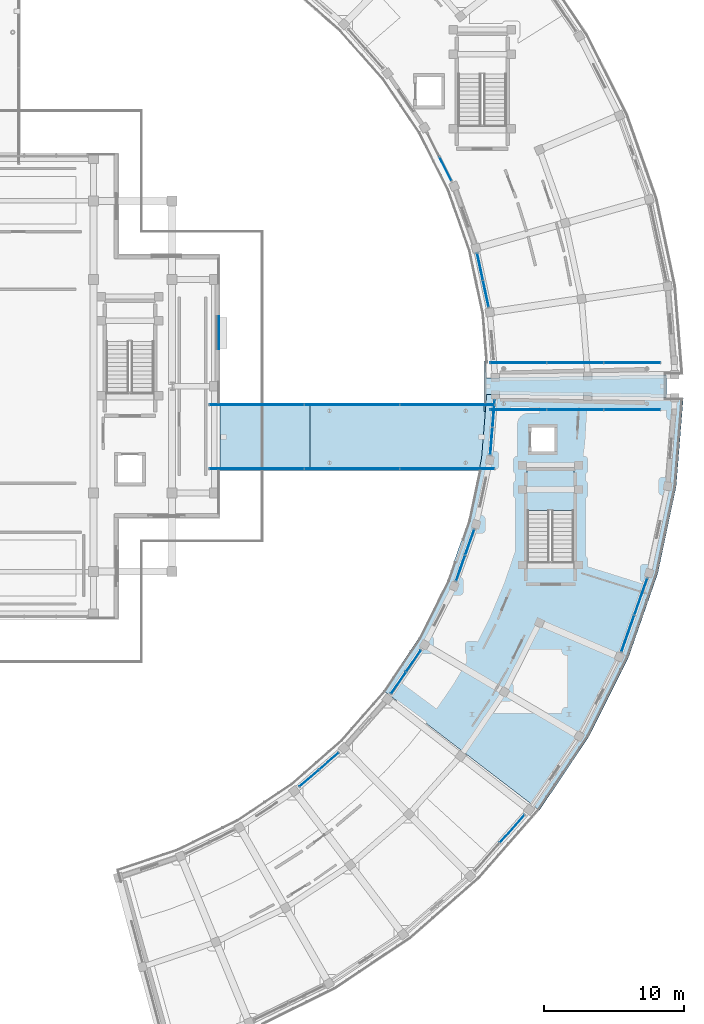
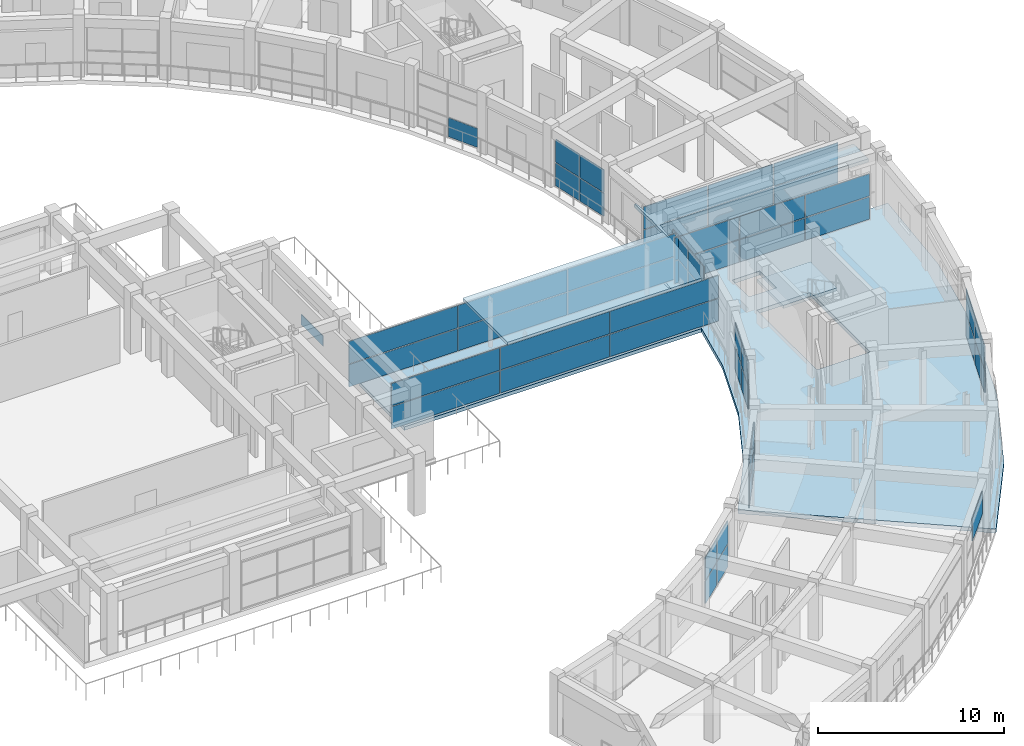
# One storey, part 29 of 53: 51 plates, 6 slabs, 13 elements without a shape of their own.
"""IFC4 building model written with IfcOpenShell, lengths in metres."""

from ifc_helpers import new_model, si_unit, direction, frame, origin, origin_2d, place, context, subcontext, project, spatial, polyline, rectangle, outline, extrude, material, layer, layer_set, type_object, element, aggregate, save


model = new_model("IFC4")

# Units and contexts
model_context = context("Model", 3, precision=1e-05, world=origin(), true_north=direction((0.0, 1.0)))
body_context = subcontext(model_context, "Body", "Model", "MODEL_VIEW")
ifc_project = project(units=[si_unit("LENGTHUNIT", "METRE"), si_unit("AREAUNIT", "SQUARE_METRE"), si_unit("VOLUMEUNIT", "CUBIC_METRE"), si_unit("PLANEANGLEUNIT", "RADIAN"), si_unit("MASSUNIT", "GRAM", prefix="KILO")], contexts=[model_context])

# Site, building, storey
site_placement = place(None, origin())
site = spatial("IfcSite", under=ifc_project, at=site_placement, CompositionType="ELEMENT")
building_placement = place(site_placement, origin())
building = spatial("IfcBuilding", under=site, at=building_placement, Name="Saryqyr Civic Hall", CompositionType="ELEMENT")
storey_placement = place(building_placement, frame((0.0, 0.0, 21.300048828125)))
storey = spatial("IfcBuildingStorey", under=building, at=storey_placement, Name="L05", CompositionType="ELEMENT", Elevation=21.300048828125)

# Curtain wall, plates
ifc_material_1 = material(Name="Anodised aluminium and triple low-E glass", Category="aluminium")
curtain_wall_type_1 = type_object("IfcCurtainWallType", Name="ENV-CW-STD-27", PredefinedType="NOTDEFINED", material=ifc_material_1)
curtain_wall_1_placement = place(storey_placement, origin())
curtain_wall_1 = element("IfcCurtainWall", 1, at=curtain_wall_1_placement, inside=storey, type_object=curtain_wall_type_1, Name="Curtain wall V5-CWI-L05-03", PredefinedType="NOTDEFINED")
ifc_material_2 = material(Name="Triple low-E insulated glazing", Category="glass")
ifc_layer_1 = layer(ifc_material_2, 0.053955078125, Name="Triple low-E insulated glazing")
ifc_layer_set_1 = layer_set([ifc_layer_1], Name="Triple low-E insulated glazing")
plate_type_1 = type_object("IfcPlateType", Name="ENV-CW-PNL-38", PredefinedType="CURTAIN_PANEL", material=ifc_layer_set_1)
plate_1_placement = place(storey_placement, frame((79.95849609375, 56.093994140625, 0.06005859375), z_axis=(0.0, 0.0, 1.0), x_axis=(0.755651502076, 0.654973898267, 0.0)))
plate_1 = element("IfcPlate", 2, at=plate_1_placement, type_object=plate_type_1, Name="CW-27 panel 1.1", PredefinedType="CURTAIN_PANEL", context=body_context, shape_type="SweptSolid", body=[
    extrude(rectangle(XDim=1.797607421875, YDim=0.053955078125, at=origin_2d()), origin(), (0.0, 0.0, 1.0), 1.488037109375),
])
plate_2_placement = place(storey_placement, frame((79.95849609375, 56.093994140625, 1.60791015625), z_axis=(0.0, 0.0, 1.0), x_axis=(0.755651502076, 0.654973898267, 0.0)))
plate_2 = element("IfcPlate", 3, at=plate_2_placement, type_object=plate_type_1, Name="CW-27 panel 1.2", PredefinedType="CURTAIN_PANEL", context=body_context, shape_type="SweptSolid", body=[
    extrude(rectangle(XDim=1.797607421875, YDim=0.053955078125, at=origin_2d()), origin(), (0.0, 0.0, 1.0), 1.487060546875),
])
plate_3_placement = place(storey_placement, frame((81.3623046875, 57.310791015625, 0.06005859375), z_axis=(0.0, 0.0, 1.0), x_axis=(0.755651502076, 0.654973898267, 0.0)))
plate_3 = element("IfcPlate", 4, at=plate_3_placement, type_object=plate_type_1, Name="CW-27 panel 2.1", PredefinedType="CURTAIN_PANEL", context=body_context, shape_type="SweptSolid", body=[
    extrude(rectangle(XDim=1.797607421875, YDim=0.053955078125, at=origin_2d()), origin(), (0.0, 0.0, 1.0), 1.488037109375),
])
plate_4_placement = place(storey_placement, frame((81.3623046875, 57.310791015625, 1.60791015625), z_axis=(0.0, 0.0, 1.0), x_axis=(0.755651502076, 0.654973898267, 0.0)))
plate_4 = element("IfcPlate", 5, at=plate_4_placement, type_object=plate_type_1, Name="CW-27 panel 2.2", PredefinedType="CURTAIN_PANEL", context=body_context, shape_type="SweptSolid", body=[
    extrude(rectangle(XDim=1.797607421875, YDim=0.053955078125, at=origin_2d()), origin(), (0.0, 0.0, 1.0), 1.487060546875),
])
aggregate(curtain_wall_1, [plate_1, plate_2, plate_3, plate_4])

# Curtain wall, plate
curtain_wall_type_2 = type_object("IfcCurtainWallType", Name="ENV-CW-STD-39", PredefinedType="NOTDEFINED", material=ifc_material_1)
curtain_wall_2_placement = place(storey_placement, origin())
curtain_wall_2 = element("IfcCurtainWall", 6, at=curtain_wall_2_placement, inside=storey, type_object=curtain_wall_type_2, Name="Curtain wall V5-CWO-L05-04", PredefinedType="NOTDEFINED")
plate_5_placement = place(storey_placement, frame((94.412353515625, 52.486572265625, 1.60791015625), z_axis=(0.0, 0.0, 1.0), x_axis=(-0.664934159467, -0.746901977219, 0.0)))
plate_5 = element("IfcPlate", 7, at=plate_5_placement, type_object=plate_type_1, Name="CW-39 panel 1.2", PredefinedType="CURTAIN_PANEL", context=body_context, shape_type="SweptSolid", body=[
    extrude(rectangle(XDim=2.618896484375, YDim=0.053955078125, at=origin_2d()), origin(), (0.0, 0.0, 1.0), 1.487060546875),
])
aggregate(curtain_wall_2, [plate_5])

# Curtain wall, plates
curtain_wall_3_placement = place(storey_placement, origin())
curtain_wall_3 = element("IfcCurtainWall", 8, at=curtain_wall_3_placement, inside=storey, type_object=curtain_wall_type_1, Name="Curtain wall V5-CWI-L05-05", PredefinedType="NOTDEFINED")
plate_6_placement = place(storey_placement, frame((86.318115234375, 62.873779296875, 0.06005859375), z_axis=(0.0, 0.0, 1.0), x_axis=(0.563129803105, 0.826368455869, 0.0)))
plate_6 = element("IfcPlate", 9, at=plate_6_placement, type_object=plate_type_1, Name="CW-27 panel 1.1", PredefinedType="CURTAIN_PANEL", context=body_context, shape_type="SweptSolid", body=[
    extrude(rectangle(XDim=1.836181640625, YDim=0.053955078125, at=origin_2d()), origin(), (0.0, 0.0, 1.0), 1.488037109375),
])
plate_7_placement = place(storey_placement, frame((86.318115234375, 62.873779296875, 1.60791015625), z_axis=(0.0, 0.0, 1.0), x_axis=(0.563129803105, 0.826368455869, 0.0)))
plate_7 = element("IfcPlate", 10, at=plate_7_placement, type_object=plate_type_1, Name="CW-27 panel 1.2", PredefinedType="CURTAIN_PANEL", context=body_context, shape_type="SweptSolid", body=[
    extrude(rectangle(XDim=1.836181640625, YDim=0.053955078125, at=origin_2d()), origin(), (0.0, 0.0, 1.0), 1.487060546875),
])
plate_8_placement = place(storey_placement, frame((87.385986328125, 64.440673828125, 0.06005859375), z_axis=(0.0, 0.0, 1.0), x_axis=(0.563129803105, 0.826368455869, 0.0)))
plate_8 = element("IfcPlate", 11, at=plate_8_placement, type_object=plate_type_1, Name="CW-27 panel 2.1", PredefinedType="CURTAIN_PANEL", context=body_context, shape_type="SweptSolid", body=[
    extrude(rectangle(XDim=1.836181640625, YDim=0.053955078125, at=origin_2d()), origin(), (0.0, 0.0, 1.0), 1.488037109375),
])
plate_9_placement = place(storey_placement, frame((87.385986328125, 64.440673828125, 1.60791015625), z_axis=(0.0, 0.0, 1.0), x_axis=(0.563129803105, 0.826368455869, 0.0)))
plate_9 = element("IfcPlate", 12, at=plate_9_placement, type_object=plate_type_1, Name="CW-27 panel 2.2", PredefinedType="CURTAIN_PANEL", context=body_context, shape_type="SweptSolid", body=[
    extrude(rectangle(XDim=1.836181640625, YDim=0.053955078125, at=origin_2d()), origin(), (0.0, 0.0, 1.0), 1.487060546875),
])
aggregate(curtain_wall_3, [plate_6, plate_7, plate_8, plate_9])

curtain_wall_type_3 = type_object("IfcCurtainWallType", Name="ENV-CW-STD-40", PredefinedType="NOTDEFINED", material=ifc_material_1)
curtain_wall_4_placement = place(storey_placement, origin())
curtain_wall_4 = element("IfcCurtainWall", 13, at=curtain_wall_4_placement, inside=storey, type_object=curtain_wall_type_3, Name="Curtain wall V5-CWO-L05-07", PredefinedType="NOTDEFINED")
plate_10_placement = place(storey_placement, frame((103.565673828125, 69.015380859375, 0.06005859375), z_axis=(0.0, 0.0, 1.0), x_axis=(-0.33318018147, -0.942863174949, 0.0)))
plate_10 = element("IfcPlate", 14, at=plate_10_placement, type_object=plate_type_1, Name="CW-40 panel 1.1", PredefinedType="CURTAIN_PANEL", context=body_context, shape_type="SweptSolid", body=[
    extrude(rectangle(XDim=2.713623046875, YDim=0.053955078125, at=origin_2d()), origin(), (0.0, 0.0, 1.0), 1.488037109375),
])
plate_11_placement = place(storey_placement, frame((103.565673828125, 69.015380859375, 1.60791015625), z_axis=(0.0, 0.0, 1.0), x_axis=(-0.33318018147, -0.942863174949, 0.0)))
plate_11 = element("IfcPlate", 15, at=plate_11_placement, type_object=plate_type_1, Name="CW-40 panel 1.2", PredefinedType="CURTAIN_PANEL", context=body_context, shape_type="SweptSolid", body=[
    extrude(rectangle(XDim=2.713623046875, YDim=0.053955078125, at=origin_2d()), origin(), (0.0, 0.0, 1.0), 1.487060546875),
])
plate_12_placement = place(storey_placement, frame((102.6416015625, 66.400146484375, 0.06005859375), z_axis=(0.0, 0.0, 1.0), x_axis=(-0.33318018147, -0.942863174949, 0.0)))
plate_12 = element("IfcPlate", 16, at=plate_12_placement, type_object=plate_type_1, Name="CW-40 panel 2.1", PredefinedType="CURTAIN_PANEL", context=body_context, shape_type="SweptSolid", body=[
    extrude(rectangle(XDim=2.713623046875, YDim=0.053955078125, at=origin_2d()), origin(), (0.0, 0.0, 1.0), 1.488037109375),
])
plate_13_placement = place(storey_placement, frame((102.6416015625, 66.400146484375, 1.60791015625), z_axis=(0.0, 0.0, 1.0), x_axis=(-0.33318018147, -0.942863174949, 0.0)))
plate_13 = element("IfcPlate", 17, at=plate_13_placement, type_object=plate_type_1, Name="CW-40 panel 2.2", PredefinedType="CURTAIN_PANEL", context=body_context, shape_type="SweptSolid", body=[
    extrude(rectangle(XDim=2.713623046875, YDim=0.053955078125, at=origin_2d()), origin(), (0.0, 0.0, 1.0), 1.487060546875),
])
aggregate(curtain_wall_4, [plate_10, plate_11, plate_12, plate_13])

curtain_wall_type_4 = type_object("IfcCurtainWallType", Name="ENV-CW-STD-21", PredefinedType="NOTDEFINED", material=ifc_material_1)
curtain_wall_5_placement = place(storey_placement, origin())
curtain_wall_5 = element("IfcCurtainWall", 18, at=curtain_wall_5_placement, inside=storey, type_object=curtain_wall_type_4, Name="Curtain wall V5-CWI-L05-07", PredefinedType="NOTDEFINED")
plate_14_placement = place(storey_placement, frame((90.73583984375, 71.0458984375, 0.06005859375), z_axis=(0.0, 0.0, 1.0), x_axis=(0.333171977335, 0.94286607401, 0.0)))
plate_14 = element("IfcPlate", 19, at=plate_14_placement, type_object=plate_type_1, Name="CW-21 panel 1.1", PredefinedType="CURTAIN_PANEL", context=body_context, shape_type="SweptSolid", body=[
    extrude(rectangle(XDim=1.886962890625, YDim=0.053955078125, at=origin_2d()), origin(), (0.0, 0.0, 1.0), 1.488037109375),
])
plate_15_placement = place(storey_placement, frame((90.73583984375, 71.0458984375, 1.60791015625), z_axis=(0.0, 0.0, 1.0), x_axis=(0.333171977335, 0.94286607401, 0.0)))
plate_15 = element("IfcPlate", 20, at=plate_15_placement, type_object=plate_type_1, Name="CW-21 panel 1.2", PredefinedType="CURTAIN_PANEL", context=body_context, shape_type="SweptSolid", body=[
    extrude(rectangle(XDim=1.886962890625, YDim=0.053955078125, at=origin_2d()), origin(), (0.0, 0.0, 1.0), 1.487060546875),
])
plate_16_placement = place(storey_placement, frame((91.384765625, 72.881591796875, 0.06005859375), z_axis=(0.0, 0.0, 1.0), x_axis=(0.333171977335, 0.94286607401, 0.0)))
plate_16 = element("IfcPlate", 21, at=plate_16_placement, type_object=plate_type_1, Name="CW-21 panel 2.1", PredefinedType="CURTAIN_PANEL", context=body_context, shape_type="SweptSolid", body=[
    extrude(rectangle(XDim=1.886962890625, YDim=0.053955078125, at=origin_2d()), origin(), (0.0, 0.0, 1.0), 1.488037109375),
])
plate_17_placement = place(storey_placement, frame((91.384765625, 72.881591796875, 1.60791015625), z_axis=(0.0, 0.0, 1.0), x_axis=(0.333171977335, 0.94286607401, 0.0)))
plate_17 = element("IfcPlate", 22, at=plate_17_placement, type_object=plate_type_1, Name="CW-21 panel 2.2", PredefinedType="CURTAIN_PANEL", context=body_context, shape_type="SweptSolid", body=[
    extrude(rectangle(XDim=1.886962890625, YDim=0.053955078125, at=origin_2d()), origin(), (0.0, 0.0, 1.0), 1.487060546875),
])
aggregate(curtain_wall_5, [plate_14, plate_15, plate_16, plate_17])

curtain_wall_6_placement = place(storey_placement, origin())
curtain_wall_6 = element("IfcCurtainWall", 23, at=curtain_wall_6_placement, inside=storey, type_object=curtain_wall_type_4, Name="Curtain wall V5-CWI-L05-09", PredefinedType="NOTDEFINED")
plate_18_placement = place(storey_placement, frame((92.92578125, 80.08984375, 0.06005859375), z_axis=(0.0, 0.0, 1.0), x_axis=(0.081090889978, 0.996706710905, 0.0)))
plate_18 = element("IfcPlate", 24, at=plate_18_placement, type_object=plate_type_1, Name="CW-21 panel 1.1", PredefinedType="CURTAIN_PANEL", context=body_context, shape_type="SweptSolid", body=[
    extrude(rectangle(XDim=1.906494140625, YDim=0.053955078125, at=origin_2d()), origin(), (0.0, 0.0, 1.0), 1.488037109375),
])
plate_19_placement = place(storey_placement, frame((92.92578125, 80.08984375, 1.60791015625), z_axis=(0.0, 0.0, 1.0), x_axis=(0.081090889978, 0.996706710905, 0.0)))
plate_19 = element("IfcPlate", 25, at=plate_19_placement, type_object=plate_type_1, Name="CW-21 panel 1.2", PredefinedType="CURTAIN_PANEL", context=body_context, shape_type="SweptSolid", body=[
    extrude(rectangle(XDim=1.906494140625, YDim=0.053955078125, at=origin_2d()), origin(), (0.0, 0.0, 1.0), 1.487060546875),
])
plate_20_placement = place(storey_placement, frame((93.085205078125, 82.0498046875, 0.06005859375), z_axis=(0.0, 0.0, 1.0), x_axis=(0.081090889978, 0.996706710905, 0.0)))
plate_20 = element("IfcPlate", 26, at=plate_20_placement, type_object=plate_type_1, Name="CW-21 panel 2.1", PredefinedType="CURTAIN_PANEL", context=body_context, shape_type="SweptSolid", body=[
    extrude(rectangle(XDim=1.906494140625, YDim=0.053955078125, at=origin_2d()), origin(), (0.0, 0.0, 1.0), 1.488037109375),
])
plate_21_placement = place(storey_placement, frame((93.085205078125, 82.0498046875, 1.60791015625), z_axis=(0.0, 0.0, 1.0), x_axis=(0.081090889978, 0.996706710905, 0.0)))
plate_21 = element("IfcPlate", 27, at=plate_21_placement, type_object=plate_type_1, Name="CW-21 panel 2.2", PredefinedType="CURTAIN_PANEL", context=body_context, shape_type="SweptSolid", body=[
    extrude(rectangle(XDim=1.906494140625, YDim=0.053955078125, at=origin_2d()), origin(), (0.0, 0.0, 1.0), 1.487060546875),
])
aggregate(curtain_wall_6, [plate_18, plate_19, plate_20, plate_21])

curtain_wall_7_placement = place(storey_placement, origin())
curtain_wall_7 = element("IfcCurtainWall", 28, at=curtain_wall_7_placement, inside=storey, type_object=curtain_wall_type_4, Name="Curtain wall V6-CWI-L05-01", PredefinedType="NOTDEFINED")
plate_22_placement = place(storey_placement, frame((92.5322265625, 90.587890625, 0.06005859375), z_axis=(0.0, 0.0, 1.0), x_axis=(-0.208899296688, 0.97793715741, 0.0)))
plate_22 = element("IfcPlate", 29, at=plate_22_placement, type_object=plate_type_1, Name="CW-21 panel 1.1", PredefinedType="CURTAIN_PANEL", context=body_context, shape_type="SweptSolid", body=[
    extrude(rectangle(XDim=1.89990234375, YDim=0.053955078125, at=origin_2d()), origin(), (0.0, 0.0, 1.0), 1.492919921875),
])
plate_23_placement = place(storey_placement, frame((92.5322265625, 90.587890625, 1.61279296875), z_axis=(0.0, 0.0, 1.0), x_axis=(-0.208899296688, 0.97793715741, 0.0)))
plate_23 = element("IfcPlate", 30, at=plate_23_placement, type_object=plate_type_1, Name="CW-21 panel 1.2", PredefinedType="CURTAIN_PANEL", context=body_context, shape_type="SweptSolid", body=[
    extrude(rectangle(XDim=1.89990234375, YDim=0.053955078125, at=origin_2d()), origin(), (0.0, 0.0, 1.0), 1.491943359375),
])
plate_24_placement = place(storey_placement, frame((92.122802734375, 92.50439453125, 0.06005859375), z_axis=(0.0, 0.0, 1.0), x_axis=(-0.208899296688, 0.97793715741, 0.0)))
plate_24 = element("IfcPlate", 31, at=plate_24_placement, type_object=plate_type_1, Name="CW-21 panel 2.1", PredefinedType="CURTAIN_PANEL", context=body_context, shape_type="SweptSolid", body=[
    extrude(rectangle(XDim=1.89990234375, YDim=0.053955078125, at=origin_2d()), origin(), (0.0, 0.0, 1.0), 1.492919921875),
])
plate_25_placement = place(storey_placement, frame((92.122802734375, 92.50439453125, 1.61279296875), z_axis=(0.0, 0.0, 1.0), x_axis=(-0.208899296688, 0.97793715741, 0.0)))
plate_25 = element("IfcPlate", 32, at=plate_25_placement, type_object=plate_type_1, Name="CW-21 panel 2.2", PredefinedType="CURTAIN_PANEL", context=body_context, shape_type="SweptSolid", body=[
    extrude(rectangle(XDim=1.89990234375, YDim=0.053955078125, at=origin_2d()), origin(), (0.0, 0.0, 1.0), 1.491943359375),
])
aggregate(curtain_wall_7, [plate_22, plate_23, plate_24, plate_25])

# Curtain wall, plate
curtain_wall_type_5 = type_object("IfcCurtainWallType", Name="ENV-CW-STD-48", PredefinedType="NOTDEFINED", material=ifc_material_1)
curtain_wall_8_placement = place(storey_placement, origin())
curtain_wall_8 = element("IfcCurtainWall", 33, at=curtain_wall_8_placement, inside=storey, type_object=curtain_wall_type_5, Name="Curtain wall V6-CWI-L05-03", PredefinedType="NOTDEFINED")
plate_26_placement = place(storey_placement, frame((89.66015625, 99.466552734375, 0.06005859375), z_axis=(0.0, 0.0, 1.0), x_axis=(-0.451909750219, 0.892063662334, 0.0)))
plate_26 = element("IfcPlate", 34, at=plate_26_placement, type_object=plate_type_1, Name="CW-48 panel 1.1", PredefinedType="CURTAIN_PANEL", context=body_context, shape_type="SweptSolid", body=[
    extrude(rectangle(XDim=1.866455078125, YDim=0.053955078125, at=origin_2d()), origin(), (0.0, 0.0, 1.0), 1.241943359375),
])
aggregate(curtain_wall_8, [plate_26])

# Curtain wall, plates
curtain_wall_type_6 = type_object("IfcCurtainWallType", Name="ENV-CW-STD-81", PredefinedType="NOTDEFINED", material=ifc_material_1)
curtain_wall_9_placement = place(storey_placement, origin())
curtain_wall_9 = element("IfcCurtainWall", 35, at=curtain_wall_9_placement, inside=storey, type_object=curtain_wall_type_6, Name="Curtain wall BR-E-CW1-L05", PredefinedType="NOTDEFINED")
plate_27_placement = place(storey_placement, frame((102.95166015625, 82.320068359375, 0.06005859375), z_axis=(0.0, 0.0, 1.0), x_axis=(-1.0, 0.0, 0.0)))
plate_27 = element("IfcPlate", 36, at=plate_27_placement, type_object=plate_type_1, Name="CW-81 panel 1.1", PredefinedType="CURTAIN_PANEL", context=body_context, shape_type="SweptSolid", body=[
    extrude(rectangle(XDim=3.9765625, YDim=0.053955078125, at=origin_2d()), origin(), (0.0, 0.0, 1.0), 1.4599609375),
])
plate_28_placement = place(storey_placement, frame((102.95166015625, 82.320068359375, 1.580078125), z_axis=(0.0, 0.0, 1.0), x_axis=(-1.0, 0.0, 0.0)))
plate_28 = element("IfcPlate", 37, at=plate_28_placement, type_object=plate_type_1, Name="CW-81 panel 1.2", PredefinedType="CURTAIN_PANEL", context=body_context, shape_type="SweptSolid", body=[
    extrude(rectangle(XDim=3.9765625, YDim=0.053955078125, at=origin_2d()), origin(), (0.0, 0.0, 1.0), 1.4599609375),
])
plate_29_placement = place(storey_placement, frame((98.89990234375, 82.320068359375, 0.06005859375), z_axis=(0.0, 0.0, 1.0), x_axis=(-1.0, 0.0, 0.0)))
plate_29 = element("IfcPlate", 38, at=plate_29_placement, type_object=plate_type_1, Name="CW-81 panel 2.1", PredefinedType="CURTAIN_PANEL", context=body_context, shape_type="SweptSolid", body=[
    extrude(rectangle(XDim=4.006591796875, YDim=0.053955078125, at=origin_2d()), origin(), (0.0, 0.0, 1.0), 1.4599609375),
])
plate_30_placement = place(storey_placement, frame((98.89990234375, 82.320068359375, 1.580078125), z_axis=(0.0, 0.0, 1.0), x_axis=(-1.0, 0.0, 0.0)))
plate_30 = element("IfcPlate", 39, at=plate_30_placement, type_object=plate_type_1, Name="CW-81 panel 2.2", PredefinedType="CURTAIN_PANEL", context=body_context, shape_type="SweptSolid", body=[
    extrude(rectangle(XDim=4.006591796875, YDim=0.053955078125, at=origin_2d()), origin(), (0.0, 0.0, 1.0), 1.4599609375),
])
plate_31_placement = place(storey_placement, frame((94.848388671875, 82.320068359375, 0.06005859375), z_axis=(0.0, 0.0, 1.0), x_axis=(-1.0, 0.0, 0.0)))
plate_31 = element("IfcPlate", 40, at=plate_31_placement, type_object=plate_type_1, Name="CW-81 panel 3.1", PredefinedType="CURTAIN_PANEL", context=body_context, shape_type="SweptSolid", body=[
    extrude(rectangle(XDim=3.9765625, YDim=0.053955078125, at=origin_2d()), origin(), (0.0, 0.0, 1.0), 1.4599609375),
])
plate_32_placement = place(storey_placement, frame((94.848388671875, 82.320068359375, 1.580078125), z_axis=(0.0, 0.0, 1.0), x_axis=(-1.0, 0.0, 0.0)))
plate_32 = element("IfcPlate", 41, at=plate_32_placement, type_object=plate_type_1, Name="CW-81 panel 3.2", PredefinedType="CURTAIN_PANEL", context=body_context, shape_type="SweptSolid", body=[
    extrude(rectangle(XDim=3.9765625, YDim=0.053955078125, at=origin_2d()), origin(), (0.0, 0.0, 1.0), 1.4599609375),
])
aggregate(curtain_wall_9, [plate_27, plate_28, plate_29, plate_30, plate_31, plate_32])

curtain_wall_10_placement = place(storey_placement, origin())
curtain_wall_10 = element("IfcCurtainWall", 42, at=curtain_wall_10_placement, inside=storey, type_object=curtain_wall_type_6, Name="Curtain wall BR-E-CW2-L05", PredefinedType="NOTDEFINED")
plate_33_placement = place(storey_placement, frame((94.848388671875, 85.679931640625, 0.06005859375), z_axis=(0.0, 0.0, 1.0), x_axis=(1.0, 0.0, 0.0)))
plate_33 = element("IfcPlate", 43, at=plate_33_placement, type_object=plate_type_1, Name="CW-81 panel 1.1", PredefinedType="CURTAIN_PANEL", context=body_context, shape_type="SweptSolid", body=[
    extrude(rectangle(XDim=3.9765625, YDim=0.053955078125, at=origin_2d()), origin(), (0.0, 0.0, 1.0), 1.4599609375),
])
plate_34_placement = place(storey_placement, frame((94.848388671875, 85.679931640625, 1.580078125), z_axis=(0.0, 0.0, 1.0), x_axis=(1.0, 0.0, 0.0)))
plate_34 = element("IfcPlate", 44, at=plate_34_placement, type_object=plate_type_1, Name="CW-81 panel 1.2", PredefinedType="CURTAIN_PANEL", context=body_context, shape_type="SweptSolid", body=[
    extrude(rectangle(XDim=3.9765625, YDim=0.053955078125, at=origin_2d()), origin(), (0.0, 0.0, 1.0), 1.4599609375),
])
plate_35_placement = place(storey_placement, frame((98.89990234375, 85.679931640625, 0.06005859375), z_axis=(0.0, 0.0, 1.0), x_axis=(1.0, 0.0, 0.0)))
plate_35 = element("IfcPlate", 45, at=plate_35_placement, type_object=plate_type_1, Name="CW-81 panel 2.1", PredefinedType="CURTAIN_PANEL", context=body_context, shape_type="SweptSolid", body=[
    extrude(rectangle(XDim=4.006591796875, YDim=0.053955078125, at=origin_2d()), origin(), (0.0, 0.0, 1.0), 1.4599609375),
])
plate_36_placement = place(storey_placement, frame((98.89990234375, 85.679931640625, 1.580078125), z_axis=(0.0, 0.0, 1.0), x_axis=(1.0, 0.0, 0.0)))
plate_36 = element("IfcPlate", 46, at=plate_36_placement, type_object=plate_type_1, Name="CW-81 panel 2.2", PredefinedType="CURTAIN_PANEL", context=body_context, shape_type="SweptSolid", body=[
    extrude(rectangle(XDim=4.006591796875, YDim=0.053955078125, at=origin_2d()), origin(), (0.0, 0.0, 1.0), 1.4599609375),
])
plate_37_placement = place(storey_placement, frame((102.95166015625, 85.679931640625, 0.06005859375), z_axis=(0.0, 0.0, 1.0), x_axis=(1.0, 0.0, 0.0)))
plate_37 = element("IfcPlate", 47, at=plate_37_placement, type_object=plate_type_1, Name="CW-81 panel 3.1", PredefinedType="CURTAIN_PANEL", context=body_context, shape_type="SweptSolid", body=[
    extrude(rectangle(XDim=3.9765625, YDim=0.053955078125, at=origin_2d()), origin(), (0.0, 0.0, 1.0), 1.4599609375),
])
plate_38_placement = place(storey_placement, frame((102.95166015625, 85.679931640625, 1.580078125), z_axis=(0.0, 0.0, 1.0), x_axis=(1.0, 0.0, 0.0)))
plate_38 = element("IfcPlate", 48, at=plate_38_placement, type_object=plate_type_1, Name="CW-81 panel 3.2", PredefinedType="CURTAIN_PANEL", context=body_context, shape_type="SweptSolid", body=[
    extrude(rectangle(XDim=3.9765625, YDim=0.053955078125, at=origin_2d()), origin(), (0.0, 0.0, 1.0), 1.4599609375),
])
aggregate(curtain_wall_10, [plate_33, plate_34, plate_35, plate_36, plate_37, plate_38])

curtain_wall_type_7 = type_object("IfcCurtainWallType", Name="ENV-CW-STD-87", PredefinedType="NOTDEFINED", material=ifc_material_1)
curtain_wall_11_placement = place(storey_placement, origin())
curtain_wall_11 = element("IfcCurtainWall", 49, at=curtain_wall_11_placement, inside=storey, type_object=curtain_wall_type_7, Name="Curtain wall BR-CE-CW1-L05", PredefinedType="NOTDEFINED")
plate_39_placement = place(storey_placement, frame((89.784912109375, 78.1201171875, 0.06005859375), z_axis=(0.0, 0.0, 1.0), x_axis=(-1.0, 0.0, 0.0)))
plate_39 = element("IfcPlate", 50, at=plate_39_placement, type_object=plate_type_1, Name="CW-87 panel 1.1", PredefinedType="CURTAIN_PANEL", context=body_context, shape_type="SweptSolid", body=[
    extrude(rectangle(XDim=6.7099609375, YDim=0.053955078125, at=origin_2d()), origin(), (0.0, 0.0, 1.0), 1.4599609375),
])
plate_40_placement = place(storey_placement, frame((89.784912109375, 78.1201171875, 1.580078125), z_axis=(0.0, 0.0, 1.0), x_axis=(-1.0, 0.0, 0.0)))
plate_40 = element("IfcPlate", 51, at=plate_40_placement, type_object=plate_type_1, Name="CW-87 panel 1.2", PredefinedType="CURTAIN_PANEL", context=body_context, shape_type="SweptSolid", body=[
    extrude(rectangle(XDim=6.7099609375, YDim=0.053955078125, at=origin_2d()), origin(), (0.0, 0.0, 1.0), 1.4599609375),
])
plate_41_placement = place(storey_placement, frame((83.0, 78.1201171875, 0.06005859375), z_axis=(0.0, 0.0, 1.0), x_axis=(-1.0, 0.0, 0.0)))
plate_41 = element("IfcPlate", 52, at=plate_41_placement, type_object=plate_type_1, Name="CW-87 panel 2.1", PredefinedType="CURTAIN_PANEL", context=body_context, shape_type="SweptSolid", body=[
    extrude(rectangle(XDim=6.739990234375, YDim=0.053955078125, at=origin_2d()), origin(), (0.0, 0.0, 1.0), 1.4599609375),
])
plate_42_placement = place(storey_placement, frame((83.0, 78.1201171875, 1.580078125), z_axis=(0.0, 0.0, 1.0), x_axis=(-1.0, 0.0, 0.0)))
plate_42 = element("IfcPlate", 53, at=plate_42_placement, type_object=plate_type_1, Name="CW-87 panel 2.2", PredefinedType="CURTAIN_PANEL", context=body_context, shape_type="SweptSolid", body=[
    extrude(rectangle(XDim=6.739990234375, YDim=0.053955078125, at=origin_2d()), origin(), (0.0, 0.0, 1.0), 1.4599609375),
])
plate_43_placement = place(storey_placement, frame((76.215087890625, 78.1201171875, 0.06005859375), z_axis=(0.0, 0.0, 1.0), x_axis=(-1.0, 0.0, 0.0)))
plate_43 = element("IfcPlate", 54, at=plate_43_placement, type_object=plate_type_1, Name="CW-87 panel 3.1", PredefinedType="CURTAIN_PANEL", context=body_context, shape_type="SweptSolid", body=[
    extrude(rectangle(XDim=6.7099609375, YDim=0.053955078125, at=origin_2d()), origin(), (0.0, 0.0, 1.0), 1.4599609375),
])
plate_44_placement = place(storey_placement, frame((76.215087890625, 78.1201171875, 1.580078125), z_axis=(0.0, 0.0, 1.0), x_axis=(-1.0, 0.0, 0.0)))
plate_44 = element("IfcPlate", 55, at=plate_44_placement, type_object=plate_type_1, Name="CW-87 panel 3.2", PredefinedType="CURTAIN_PANEL", context=body_context, shape_type="SweptSolid", body=[
    extrude(rectangle(XDim=6.7099609375, YDim=0.053955078125, at=origin_2d()), origin(), (0.0, 0.0, 1.0), 1.4599609375),
])
aggregate(curtain_wall_11, [plate_39, plate_40, plate_41, plate_42, plate_43, plate_44])

curtain_wall_12_placement = place(storey_placement, origin())
curtain_wall_12 = element("IfcCurtainWall", 56, at=curtain_wall_12_placement, inside=storey, type_object=curtain_wall_type_7, Name="Curtain wall BR-CE-CW2-L05", PredefinedType="NOTDEFINED")
plate_45_placement = place(storey_placement, frame((76.215087890625, 82.679931640625, 0.06005859375), z_axis=(0.0, 0.0, 1.0), x_axis=(1.0, 0.0, 0.0)))
plate_45 = element("IfcPlate", 57, at=plate_45_placement, type_object=plate_type_1, Name="CW-87 panel 1.1", PredefinedType="CURTAIN_PANEL", context=body_context, shape_type="SweptSolid", body=[
    extrude(rectangle(XDim=6.7099609375, YDim=0.053955078125, at=origin_2d()), origin(), (0.0, 0.0, 1.0), 1.4599609375),
])
plate_46_placement = place(storey_placement, frame((76.215087890625, 82.679931640625, 1.580078125), z_axis=(0.0, 0.0, 1.0), x_axis=(1.0, 0.0, 0.0)))
plate_46 = element("IfcPlate", 58, at=plate_46_placement, type_object=plate_type_1, Name="CW-87 panel 1.2", PredefinedType="CURTAIN_PANEL", context=body_context, shape_type="SweptSolid", body=[
    extrude(rectangle(XDim=6.7099609375, YDim=0.053955078125, at=origin_2d()), origin(), (0.0, 0.0, 1.0), 1.4599609375),
])
plate_47_placement = place(storey_placement, frame((83.0, 82.679931640625, 0.06005859375), z_axis=(0.0, 0.0, 1.0), x_axis=(1.0, 0.0, 0.0)))
plate_47 = element("IfcPlate", 59, at=plate_47_placement, type_object=plate_type_1, Name="CW-87 panel 2.1", PredefinedType="CURTAIN_PANEL", context=body_context, shape_type="SweptSolid", body=[
    extrude(rectangle(XDim=6.739990234375, YDim=0.053955078125, at=origin_2d()), origin(), (0.0, 0.0, 1.0), 1.4599609375),
])
plate_48_placement = place(storey_placement, frame((83.0, 82.679931640625, 1.580078125), z_axis=(0.0, 0.0, 1.0), x_axis=(1.0, 0.0, 0.0)))
plate_48 = element("IfcPlate", 60, at=plate_48_placement, type_object=plate_type_1, Name="CW-87 panel 2.2", PredefinedType="CURTAIN_PANEL", context=body_context, shape_type="SweptSolid", body=[
    extrude(rectangle(XDim=6.739990234375, YDim=0.053955078125, at=origin_2d()), origin(), (0.0, 0.0, 1.0), 1.4599609375),
])
plate_49_placement = place(storey_placement, frame((89.784912109375, 82.679931640625, 0.06005859375), z_axis=(0.0, 0.0, 1.0), x_axis=(1.0, 0.0, 0.0)))
plate_49 = element("IfcPlate", 61, at=plate_49_placement, type_object=plate_type_1, Name="CW-87 panel 3.1", PredefinedType="CURTAIN_PANEL", context=body_context, shape_type="SweptSolid", body=[
    extrude(rectangle(XDim=6.7099609375, YDim=0.053955078125, at=origin_2d()), origin(), (0.0, 0.0, 1.0), 1.4599609375),
])
plate_50_placement = place(storey_placement, frame((89.784912109375, 82.679931640625, 1.580078125), z_axis=(0.0, 0.0, 1.0), x_axis=(1.0, 0.0, 0.0)))
plate_50 = element("IfcPlate", 62, at=plate_50_placement, type_object=plate_type_1, Name="CW-87 panel 3.2", PredefinedType="CURTAIN_PANEL", context=body_context, shape_type="SweptSolid", body=[
    extrude(rectangle(XDim=6.7099609375, YDim=0.053955078125, at=origin_2d()), origin(), (0.0, 0.0, 1.0), 1.4599609375),
])
aggregate(curtain_wall_12, [plate_45, plate_46, plate_47, plate_48, plate_49, plate_50])

# Plate
ifc_material_3 = material(Name="Warm brushed brass-anodised aluminium", Category="aluminium")
ifc_layer_2 = layer(ifc_material_3, 0.031982421875, Name="Warm brushed brass-anodised aluminium")
ifc_layer_set_2 = layer_set([ifc_layer_2], Name="Warm brushed brass-anodised aluminium")
plate_type_2 = type_object("IfcPlateType", Name="ENV-PLT-BRASS-3", PredefinedType="SHEET", material=ifc_layer_set_2)
plate_51_placement = place(storey_placement, frame((73.549072265625, 87.800048828125, 0.080078125), z_axis=(0.0, 0.0, 1.0), x_axis=(0.0, -1.0, 0.0)))
element("IfcPlate", 63, at=plate_51_placement, inside=storey, type_object=plate_type_2, Name="Warm brass spandrel cladding sheet L05-08", PredefinedType="SHEET", context=body_context, shape_type="SweptSolid", body=[
    extrude(rectangle(XDim=2.35009765625, YDim=0.031982421875, at=origin_2d()), origin(), (0.0, 0.0, 1.0), 0.679931640625),
])

# Slabs
ifc_material_4 = material(Name="Concrete C35/45", Category="concrete")
ifc_layer_3 = layer(ifc_material_4, 0.22998046875, Name="Concrete C35/45")
ifc_layer_set_3 = layer_set([ifc_layer_3], Name="Concrete C35/45")
slab_type_1 = type_object("IfcSlabType", Name="STR-SLB-FLR-230", PredefinedType="FLOOR", material=ifc_layer_set_3)
slab_1_placement = place(storey_placement, frame((0.0, 0.0, -0.22998046875)))
element("IfcSlab", 64, at=slab_1_placement, inside=storey, type_object=slab_type_1, Name="Slab SLB-BR-E-L05", PredefinedType="FLOOR", context=body_context, shape_type="SweptSolid", body=[
    extrude(outline(polyline([(105.39990234375, 83.197509765625), (92.59521484375, 83.409912109375), (92.497802734375, 82.199951171875), (92.39990234375, 82.199951171875), (92.39990234375, 85.800048828125), (92.4970703125, 85.800048828125), (92.59521484375, 84.590087890625), (105.39990234375, 84.802490234375), (105.39990234375, 83.197509765625)])), origin(), (0.0, 0.0, 1.0), 0.22998046875),
])
slab_2_placement = place(storey_placement, frame((0.0, 0.0, -0.22998046875)))
element("IfcSlab", 65, at=slab_2_placement, inside=storey, type_object=slab_type_1, Name="Slab SLB-BR-CE-L05", PredefinedType="FLOOR", context=body_context, shape_type="SweptSolid", body=[
    extrude(outline(polyline([(92.39990234375, 82.800048828125), (92.39990234375, 82.199951171875), (92.497802734375, 82.199951171875), (92.230712890625, 78.885498046875), (92.0439453125, 78.0), (73.60009765625, 78.0), (73.60009765625, 82.800048828125), (92.39990234375, 82.800048828125)])), origin(), (0.0, 0.0, 1.0), 0.22998046875),
])
ifc_layer_4 = layer(ifc_material_4, 0.260009765625, Name="Concrete C35/45")
ifc_layer_set_4 = layer_set([ifc_layer_4], Name="Concrete C35/45")
slab_type_2 = type_object("IfcSlabType", Name="STR-SLB-FLR-260", PredefinedType="FLOOR", material=ifc_layer_set_4)
slab_3_placement = place(storey_placement, frame((0.0, 0.0, -0.260009765625)))
element("IfcSlab", 66, at=slab_3_placement, inside=storey, type_object=slab_type_2, Name="Slab SLB-V5B-L05", PredefinedType="FLOOR", context=body_context, shape_type="SweptSolid", body=[
    extrude(outline(polyline([(87.771240234375, 66.097900390625), (89.799072265625, 70.15869140625), (91.293701171875, 74.4443359375), (92.230712890625, 78.885498046875), (92.59521484375, 83.409912109375), (106.59326171875, 83.177490234375), (106.08544921875, 76.874267578125), (104.77978515625, 70.6865234375), (102.697509765625, 64.71533203125), (99.872314453125, 59.0576171875), (96.350341796875, 53.805419921875), (85.243408203125, 62.328125), (87.771240234375, 66.097900390625)]), holes=[polyline([(98.800048828125, 78.0), (95.47998046875, 78.0), (95.47998046875, 71.56005859375), (98.800048828125, 71.56005859375), (98.800048828125, 78.0)]), polyline([(97.449951171875, 79.300048828125), (97.449951171875, 81.10009765625), (95.75, 81.10009765625), (95.75, 79.300048828125), (97.449951171875, 79.300048828125)])]), origin(), (0.0, 0.0, 1.0), 0.260009765625),
])

# Stair, slab
stair_type = type_object("IfcStairType", Name="INT-STR-ST-5", PredefinedType="HALF_TURN_STAIR", material=ifc_material_4)
stair_placement = place(storey_placement, origin())
stair = element("IfcStair", 67, at=stair_placement, inside=storey, type_object=stair_type, Name="L05 Protected Exit Stair ST-5", PredefinedType="HALF_TURN_STAIR")
ifc_layer_5 = layer(ifc_material_4, 0.199951171875, Name="Concrete C35/45")
ifc_layer_set_5 = layer_set([ifc_layer_5], Name="Concrete C35/45")
slab_type_3 = type_object("IfcSlabType", Name="STR-SLB-LND-200", PredefinedType="LANDING", material=ifc_layer_set_5)
slab_4_placement = place(storey_placement, frame((0.0, 0.0, 1.824951171875)))
slab_4 = element("IfcSlab", 68, at=slab_4_placement, type_object=slab_type_3, Name="ST-5 landing 1", PredefinedType="LANDING", context=body_context, shape_type="SweptSolid", body=[
    extrude(outline(polyline([(98.800048828125, 75.159912109375), (98.800048828125, 78.0), (95.47998046875, 78.0), (95.47998046875, 75.159912109375), (98.800048828125, 75.159912109375)])), origin(), (0.0, 0.0, 1.0), 0.199951171875),
])
aggregate(stair, [slab_4])

# Slabs
ifc_layer_6 = layer(ifc_material_4, 0.2099609375, Name="Concrete C35/45")
ifc_layer_set_6 = layer_set([ifc_layer_6], Name="Concrete C35/45")
slab_type_4 = type_object("IfcSlabType", Name="STR-SLB-ROOF-210", PredefinedType="ROOF", material=ifc_layer_set_6)
slab_5_placement = place(storey_placement, frame((0.0, 0.0, 3.099853515625)))
element("IfcSlab", 69, at=slab_5_placement, inside=storey, type_object=slab_type_4, Name="Slab SLB-BR-E-ROOF", PredefinedType="ROOF", context=body_context, shape_type="SweptSolid", body=[
    extrude(outline(polyline([(105.39990234375, 83.197509765625), (92.59521484375, 83.409912109375), (92.497802734375, 82.199951171875), (92.39990234375, 82.199951171875), (92.39990234375, 83.3896484375), (92.43994140625, 84.0), (92.39990234375, 84.6103515625), (92.39990234375, 85.800048828125), (92.4970703125, 85.800048828125), (92.59521484375, 84.590087890625), (105.39990234375, 84.802490234375), (105.39990234375, 83.197509765625)])), origin(), (0.0, 0.0, 1.0), 0.210205078125),
])
slab_6_placement = place(storey_placement, frame((0.0, 0.0, 3.099853515625)))
element("IfcSlab", 70, at=slab_6_placement, inside=storey, type_object=slab_type_4, Name="Slab SLB-BR-CE-ROOF", PredefinedType="ROOF", context=body_context, shape_type="SweptSolid", body=[
    extrude(outline(polyline([(92.39990234375, 82.800048828125), (92.39990234375, 82.199951171875), (92.497802734375, 82.199951171875), (92.230712890625, 78.885498046875), (92.0439453125, 78.0), (80.0, 78.0), (80.0, 82.800048828125), (92.39990234375, 82.800048828125)])), origin(), (0.0, 0.0, 1.0), 0.210205078125),
])

save(model, "model.ifc")
